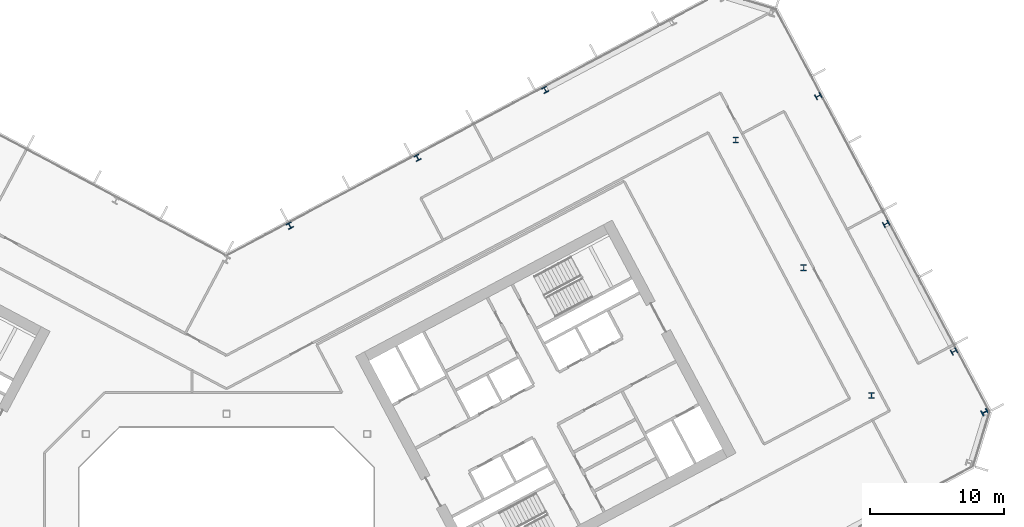
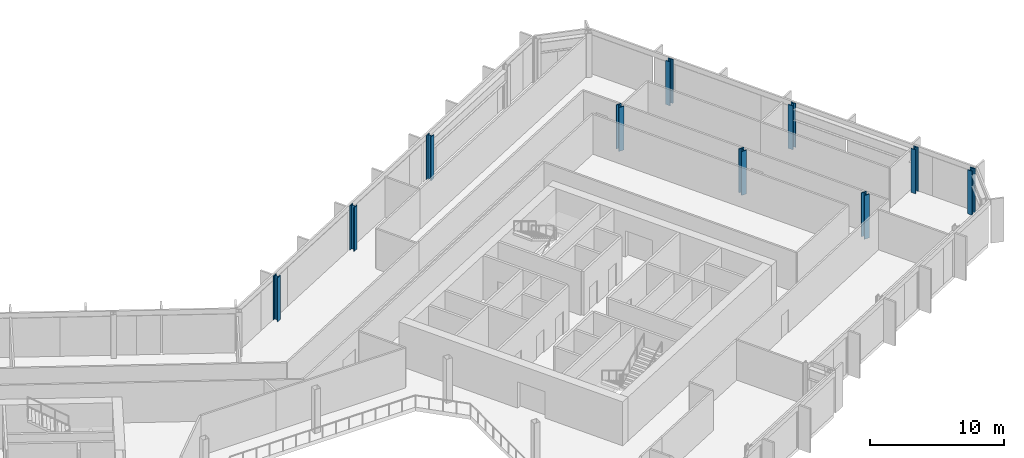
# One storey, part 7 of 28: 10 columns.
"""IFC4 building model written with IfcOpenShell, lengths in metres."""

from ifc_helpers import new_model, si_unit, direction, frame, origin, origin_2d, place, context, subcontext, project, spatial, i_section, extrude, material, material_profile, profile_set, type_object, element, save


model = new_model("IFC4")

# Units and contexts
model_context = context("Model", 3, precision=1e-05, world=origin(), true_north=direction((0.0, 1.0)))
body_context = subcontext(model_context, "Body", "Model", "MODEL_VIEW")
ifc_project = project(units=[si_unit("LENGTHUNIT", "METRE"), si_unit("AREAUNIT", "SQUARE_METRE"), si_unit("VOLUMEUNIT", "CUBIC_METRE"), si_unit("PLANEANGLEUNIT", "RADIAN"), si_unit("MASSUNIT", "GRAM", prefix="KILO")], contexts=[model_context])

# Site, building, storey
site_placement = place(None, origin())
site = spatial("IfcSite", under=ifc_project, at=site_placement, CompositionType="ELEMENT")
building_placement = place(site_placement, origin())
building = spatial("IfcBuilding", under=site, at=building_placement, Name="Cormorant Relay Tower", CompositionType="ELEMENT")
storey_placement = place(building_placement, frame((0.0, 0.0, 162.199951171875)))
storey = spatial("IfcBuildingStorey", under=building, at=storey_placement, Name="L34", CompositionType="ELEMENT", Elevation=162.199951171875)

# Columns
ifc_material_1 = material(Name="Steel ASTM A992 (Fy 345 MPa)", Category="steel")
ifc_material_profile_1 = material_profile(ifc_material_1, i_section(OverallWidth=0.41162109375, OverallDepth=0.434326171875, WebThickness=0.035888671875, FlangeThickness=0.057373046875, FilletRadius=0.01513671875, at=origin_2d()), Name="W360x463")
ifc_profile_set_1 = profile_set([ifc_material_profile_1], Name="Steel ASTM A992 (Fy 345 MPa)")
column_type_1 = type_object("IfcColumnType", Name="Column W360x463", PredefinedType="COLUMN", material=ifc_profile_set_1)
for number, where, z_axis, x_axis, name in (
    (1, (54.321044921875, 16.65087890625, 0.0), (0.0, 0.0, 1.0), (-0.469471562786, 0.882947592859, 0.0), "Column L34-029"),
    (2, (4.72509765625, 26.047119140625, 0.0), (0.0, 0.0, 1.0), (-0.882947592859, -0.469471562786, 0.0), "Column L34-034"),
    (3, (49.2509765625, 26.18701171875, 0.0), (0.0, 0.0, 1.0), (-0.469471562786, 0.882947592859, 0.0), "Column L34-035"),
    (4, (14.260986328125, 31.116943359375, 0.0), (0.0, 0.0, 1.0), (-0.882947592859, -0.469471562786, 0.0), "Column L34-038"),
    (5, (44.180908203125, 35.722900390625, 0.0), (0.0, 0.0, 1.0), (-0.469471562786, 0.882947592859, 0.0), "Column L34-042"),
    (6, (23.7958984375, 36.18798828125, 0.0), (0.0, 0.0, 1.0), (-0.882947592859, -0.469471562786, 0.0), "Column L34-043"),
):
    element("IfcColumn", number, at=place(storey_placement, frame(where, z_axis=z_axis, x_axis=x_axis)), inside=storey, type_object=column_type_1, Name=name, PredefinedType="COLUMN", context=body_context, shape_type="SweptSolid", body=[
        extrude(i_section(OverallWidth=0.41162109375, OverallDepth=0.434326171875, WebThickness=0.035888671875, FlangeThickness=0.057373046875, FilletRadius=0.01513671875, at=origin_2d()), origin(), (0.0, 0.0, 1.0), 4.0),
    ])
ifc_material_2 = material(Name="Steel ASTM A992 (Fy 345 MPa)", Category="steel")
ifc_material_profile_2 = material_profile(ifc_material_2, i_section(OverallWidth=0.42431640625, OverallDepth=0.47509765625, WebThickness=0.0478515625, FlangeThickness=0.0771484375, FilletRadius=0.014892578125, at=origin_2d()), Name="W360x634")
ifc_profile_set_2 = profile_set([ifc_material_profile_2], Name="Steel ASTM A992 (Fy 345 MPa)")
column_type_2 = type_object("IfcColumnType", Name="Column W360x634", PredefinedType="COLUMN", material=ifc_profile_set_2)
for number, where, z_axis, x_axis, name in (
    (7, (56.60791015625, 12.1298828125, 0.0), (0.0, 0.0, 1.0), (-0.469471562786, 0.882947592859, 0.0), "Column L34-026"),
    (8, (48.157958984375, 13.3740234375, 0.0), (0.0, 0.0, 1.0), (1.0, 0.0, 0.0), "Column L34-027"),
    (9, (43.087890625, 22.909912109375, 0.0), (0.0, 0.0, 1.0), (1.0, 0.0, 0.0), "Column L34-031"),
    (10, (38.01806640625, 32.446044921875, 0.0), (0.0, 0.0, 1.0), (1.0, 0.0, 0.0), "Column L34-039"),
):
    element("IfcColumn", number, at=place(storey_placement, frame(where, z_axis=z_axis, x_axis=x_axis)), inside=storey, type_object=column_type_2, Name=name, PredefinedType="COLUMN", context=body_context, shape_type="SweptSolid", body=[
        extrude(i_section(OverallWidth=0.42431640625, OverallDepth=0.47509765625, WebThickness=0.0478515625, FlangeThickness=0.0771484375, FilletRadius=0.014892578125, at=origin_2d()), origin(), (0.0, 0.0, 1.0), 4.0),
    ])

save(model, "model.ifc")
